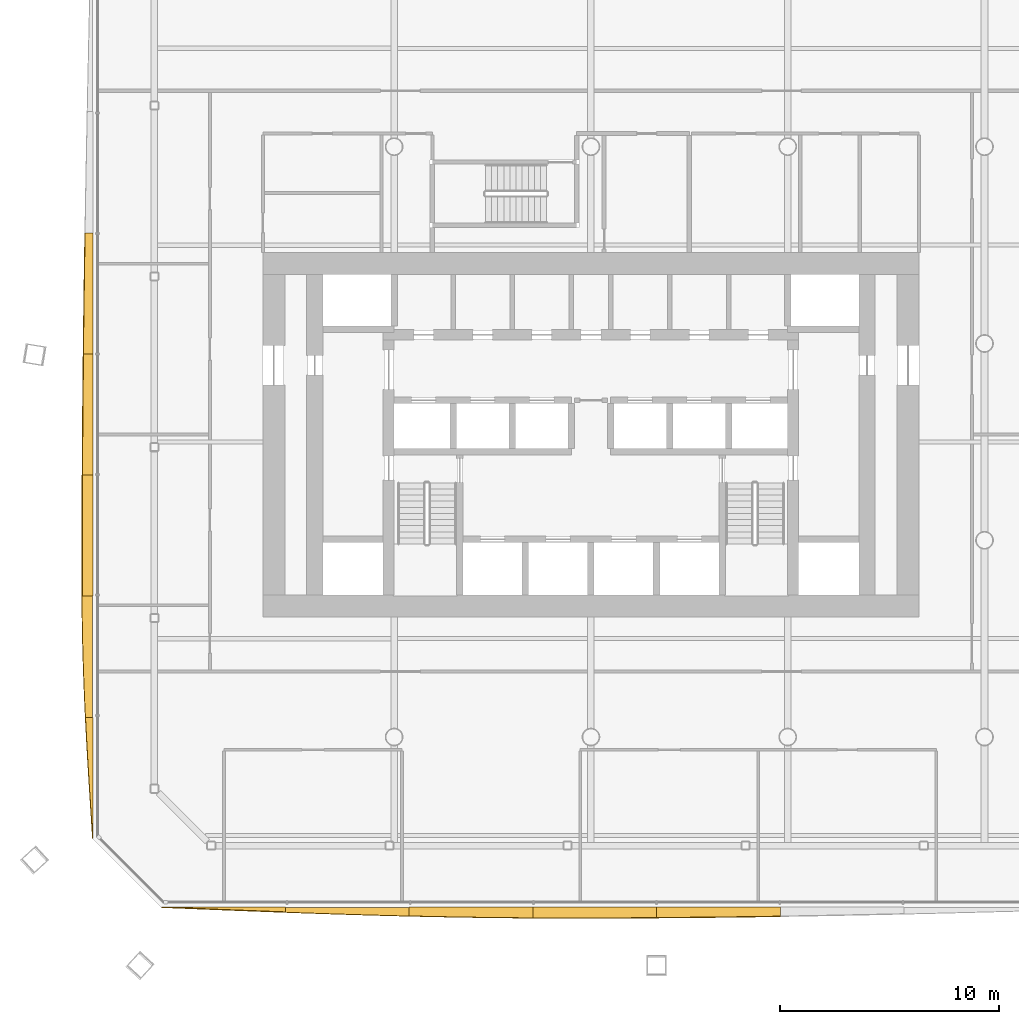
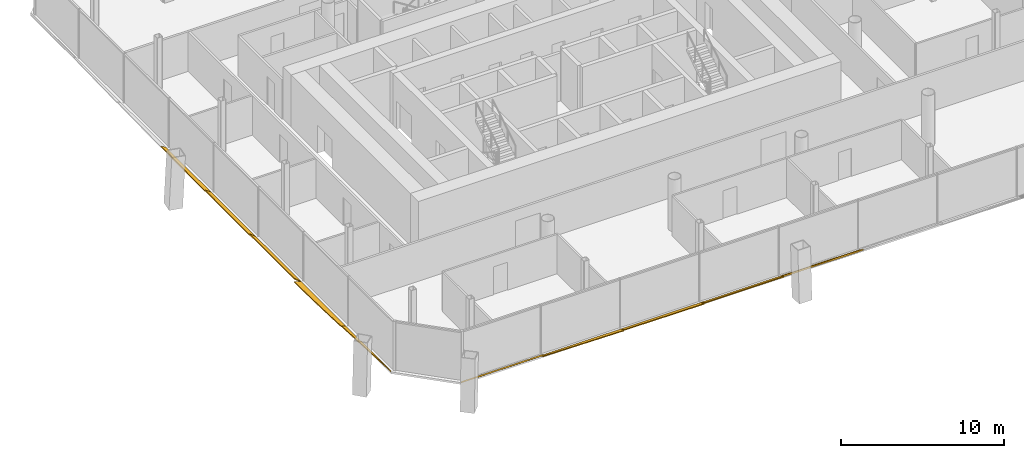
# One storey, part 16 of 20: 10 shading devices.
"""IFC4 building model written with IfcOpenShell, lengths in metres."""

from ifc_helpers import new_model, si_unit, direction, frame, origin, place, context, subcontext, project, spatial, polyline, outline, extrude, material, layer, layer_set, type_object, element, save


model = new_model("IFC4")

# Units and contexts
model_context = context("Model", 3, precision=1e-05, world=origin(), true_north=direction((0.0, 1.0)))
body_context = subcontext(model_context, "Body", "Model", "MODEL_VIEW")
ifc_project = project(units=[si_unit("LENGTHUNIT", "METRE"), si_unit("AREAUNIT", "SQUARE_METRE"), si_unit("VOLUMEUNIT", "CUBIC_METRE"), si_unit("PLANEANGLEUNIT", "RADIAN"), si_unit("MASSUNIT", "GRAM", prefix="KILO")], contexts=[model_context])

# Site, building, storey
site_placement = place(None, origin())
site = spatial("IfcSite", under=ifc_project, at=site_placement, CompositionType="ELEMENT")
building_placement = place(site_placement, origin())
building = spatial("IfcBuilding", under=site, at=building_placement, Name="Tskaro Facet Tower", CompositionType="ELEMENT")
storey_placement = place(building_placement, frame((0.0, 0.0, 66.0)))
storey = spatial("IfcBuildingStorey", under=building, at=storey_placement, Name="L15", CompositionType="ELEMENT", Elevation=66.0)

# Shading devices
ifc_material = material(Name="Bronze anodised aluminium 6063-T6", Category="aluminium")
ifc_layer = layer(ifc_material, 0.06005859375, Name="Bronze anodised aluminium 6063-T6")
ifc_layer_set = layer_set([ifc_layer], Name="Bronze anodised aluminium 6063-T6")
shading_device_type = type_object("IfcShadingDeviceType", Name="Bronze sun blade (FN1)", PredefinedType="USERDEFINED", material=ifc_layer_set)
shading_device_1_placement = place(storey_placement, frame((-19.635009765625, -25.7705078125, 0.0458984375), z_axis=(3.2625902e-05, 0.643382426657, 0.765544937939), x_axis=(0.999999999468, -2.0990932e-05, -2.4976594e-05)))
element("IfcShadingDevice", 1, at=shading_device_1_placement, inside=storey, type_object=shading_device_type, Name="Fin blade south 1", ObjectType="FIN", PredefinedType="USERDEFINED", context=body_context, shape_type="SweptSolid", body=[
    extrude(outline(polyline([(0.0, 0.0), (5.658691403238304, 1.9172392237754075e-20), (5.658691409263327, -0.2916482721003014), (4.9514160143450345, -0.25732618426548765), (4.244140621372865, -0.22231614361556348), (3.536621095819751, -0.1864610743626871), (2.82934570161509, -0.14988822746282848), (2.122070308383492, -0.11297140415541462), (1.4147949222227567, -0.07555352865260384), (0.7072753851876732, -0.037761851910366025), (0.0, 0.0)])), origin(), (0.0, 0.0, -1.0), 0.06005859375),
])
shading_device_2_placement = place(storey_placement, frame((-13.976318359375, -25.78857421875, 0.056396484375), z_axis=(-2.628135e-06, 0.342026914638, 0.939690156199), x_axis=(0.999999999997, 8.98893e-07, 2.469633e-06)))
element("IfcShadingDevice", 2, at=shading_device_2_placement, inside=storey, type_object=shading_device_type, Name="Fin blade south 2", ObjectType="FIN", PredefinedType="USERDEFINED", context=body_context, shape_type="SweptSolid", body=[
    extrude(outline(polyline([(0.0, 0.0), (5.6589355468554565, 5.991631068239571e-22), (5.658935546903206, -0.4232366271566472), (4.951416015780123, -0.4045475668472863), (4.244140624789963, -0.3842314992915564), (3.5368652342941473, -0.3626848463609124), (2.829345703064739, -0.33982410539064756), (2.122070312735216, -0.31596219558751015), (1.4147949216941624, -0.2907026950800452), (0.7075195313114774, -0.2647549449464558), (-2.4256916829126793e-11, -0.23772252331528707), (0.0, 0.0)])), origin(), (0.0, 0.0, -1.0), 0.06005859375),
])
shading_device_3_placement = place(storey_placement, frame((-8.3173828125, -25.78369140625, 0.054443359375), z_axis=(-1.782708e-06, 0.422574078242, 0.906328388828), x_axis=(0.999999999998, 7.53326e-07, 1.615718e-06)))
element("IfcShadingDevice", 3, at=shading_device_3_placement, inside=storey, type_object=shading_device_type, Name="Fin blade south 3", ObjectType="FIN", PredefinedType="USERDEFINED", context=body_context, shape_type="SweptSolid", body=[
    extrude(outline(polyline([(0.0, 0.0), (5.658691406241008, 0.0), (5.658691406279808, -0.5355241717585432), (4.951171875132492, -0.5296245220181465), (4.2438964841358295, -0.5219845728036423), (3.536621093821583, -0.5123681159555646), (2.829345703032991, -0.5010113596333793), (2.1218261719339795, -0.48812063883622825), (1.4145507811695388, -0.4732683469856658), (0.7072753907196788, -0.4568820906601376), (6.0183679917890276e-12, -0.4390799739393768), (0.0, 0.0)])), origin(), (0.0, 0.0, -1.0), 0.06005859375),
])
shading_device_4_placement = place(storey_placement, frame((-2.65869140625, -25.779052734375, 0.052001953125), z_axis=(7.546815e-06, 0.500006348629, 0.866021738338), x_axis=(0.999999999972, -3.773455e-06, -6.535706e-06)))
element("IfcShadingDevice", 4, at=shading_device_4_placement, inside=storey, type_object=shading_device_type, Name="Fin blade south 4", ObjectType="FIN", PredefinedType="USERDEFINED", context=body_context, shape_type="SweptSolid", body=[
    extrude(outline(polyline([(0.0, 0.0), (5.658691406088856, 0.0), (5.658691406412842, -0.5528017127912757), (4.951416015512984, -0.557616759919839), (4.243896484415634, -0.5615533700580766), (3.5366210934495252, -0.5644001121175211), (2.829345702910918, -0.5663684171866399), (2.122070311878558, -0.5672468541769656), (1.855957030636136, -0.5672468541769656), (1.4145507813230835, -0.5669133512260365), (0.7072753913263512, -0.5646115432059885), (-3.3226351978627495e-10, -0.5604635019792835), (0.0, 0.0)])), origin(), (0.0, 0.0, -1.0), 0.06005859375),
])
shading_device_5_placement = place(storey_placement, frame((3.0, -25.774658203125, 0.049072265625), z_axis=(-6.116303e-06, 0.573728048193, 0.8190458636), x_axis=(0.999999999981, 3.509095e-06, 5.009533e-06)))
element("IfcShadingDevice", 5, at=shading_device_5_placement, inside=storey, type_object=shading_device_type, Name="Fin blade south 5", ObjectType="FIN", PredefinedType="USERDEFINED", context=body_context, shape_type="SweptSolid", body=[
    extrude(outline(polyline([(0.0, 0.0), (5.658691406144157, 2.3965490297192594e-21), (5.658691407094718, -0.5074398489695453), (4.951416015478508, -0.5204403029356486), (4.244140624843088, -0.5323607667770285), (3.536621094073068, -0.5437412355560467), (2.8293457024627697, -0.553761573561805), (2.1220703121995803, -0.5630419541361549), (1.4147949216941489, -0.5711022742615133), (0.7072753906877992, -0.5782825666311948), (4.3052157267357103e-10, -0.5845828312451998), (0.0, 0.0)])), origin(), (0.0, 0.0, -1.0), 0.06005859375),
])
shading_device_6_placement = place(storey_placement, frame((-22.779052734375, 5.060546875, 0.052001953125), z_axis=(0.499966081568, 7.454811e-06, 0.866044985683), x_axis=(3.727153e-06, -0.999999999972, 6.456202e-06)))
element("IfcShadingDevice", 6, at=shading_device_6_placement, inside=storey, type_object=shading_device_type, Name="Fin blade west 4", ObjectType="FIN", PredefinedType="USERDEFINED", context=body_context, shape_type="SweptSolid", body=[
    extrude(outline(polyline([(0.0, 0.0), (5.539062499846086, 0.0), (5.539062499954753, -0.49756709885356515), (4.84667968755412, -0.4882705070375554), (4.154296873820944, -0.4783069176300963), (3.4619140628176166, -0.46770901793037145), (2.769531251148017, -0.45677761943492184), (2.0771484372359246, -0.4453906601121114), (1.384765624477459, -0.4332473284653991), (0.6923828126289431, -0.4208925600545982), (-5.52116451344035e-10, -0.40787079405234794), (0.0, 0.0)])), origin(), (0.0, 0.0, -1.0), 0.06005859375),
])
shading_device_7_placement = place(storey_placement, frame((-22.774658203125, -0.478515625, 0.049072265625), z_axis=(0.573739385939, -4.415348e-06, 0.81903792159), x_axis=(-2.533259e-06, -0.99999999999, -3.616337e-06)))
element("IfcShadingDevice", 7, at=shading_device_7_placement, inside=storey, type_object=shading_device_type, Name="Fin blade west 5", ObjectType="FIN", PredefinedType="USERDEFINED", context=body_context, shape_type="SweptSolid", body=[
    extrude(outline(polyline([(0.0, 0.0), (5.539062499946007, 0.0), (5.5390625004642144, -0.5835627315965183), (4.846679687168792, -0.5786226002702096), (4.154296875285112, -0.5728623288069308), (3.46191406216449, -0.5667021364834964), (2.769531249572714, -0.5598618771153635), (2.0771484375097846, -0.552341550702532), (1.3847656250928075, -0.5442812303372735), (0.6923828125862058, -0.5353408824972385), (3.4402750870295926e-10, -0.5260605011348545), (0.0, 0.0)])), origin(), (0.0, 0.0, -1.0), 0.06005859375),
])
shading_device_8_placement = place(storey_placement, frame((-22.7705078125, -6.017578125, 0.0458984375), z_axis=(0.642901213345, 3.696721e-06, 0.765949103966), x_axis=(2.376626e-06, -0.999999999993, 2.8315e-06)))
element("IfcShadingDevice", 8, at=shading_device_8_placement, inside=storey, type_object=shading_device_type, Name="Fin blade west 6", ObjectType="FIN", PredefinedType="USERDEFINED", context=body_context, shape_type="SweptSolid", body=[
    extrude(outline(polyline([(0.0, 0.0), (5.539062499962152, -2.3458842172003865e-21), (5.539062499808104, -0.6384064928940706), (4.846679687621029, -0.6413451529630485), (4.830078125121143, -0.6413451529630485), (4.1542968750147065, -0.6410011953660464), (3.4619140621862785, -0.6399693225750404), (2.7695312497159748, -0.6380625352970686), (2.077148437714849, -0.6356247911291331), (1.384765625491617, -0.6324991317671934), (0.6923828123549942, -0.6285285989072095), (-3.124504694460685e-10, -0.6240271091572618), (0.0, 0.0)])), origin(), (0.0, 0.0, -1.0), 0.06005859375),
])
shading_device_9_placement = place(storey_placement, frame((-22.78857421875, -11.556640625, 0.056396484375), z_axis=(0.342059595967, 5.371851e-06, 0.939678260246), x_axis=(1.837493e-06, -0.999999999986, 5.047812e-06)))
element("IfcShadingDevice", 9, at=shading_device_9_placement, inside=storey, type_object=shading_device_type, Name="Fin blade west 7", ObjectType="FIN", PredefinedType="USERDEFINED", context=body_context, shape_type="SweptSolid", body=[
    extrude(outline(polyline([(0.0, 0.0), (5.539306640545077, 1.1729938073884778e-21), (5.539306640692868, -0.3517968127941766), (4.846923828589417, -0.38585851023084444), (4.154541015707369, -0.41674969079667035), (3.462158202943935, -0.4440115272161372), (2.7697753902991167, -0.467644019489245), (2.07739257743775, -0.48710482969692875), (1.385009765592212, -0.5024774684827362), (0.69238281290513, -0.5136784252031198), (-1.572722240247827e-10, -0.5203947755767729), (0.0, 0.0)])), origin(), (0.0, 0.0, -1.0), 0.06005859375),
])
shading_device_10_placement = place(storey_placement, frame((-22.78369140625, -17.095947265625, 0.054443359375), z_axis=(0.422303580312, -8.678092e-06, 0.906454458856), x_axis=(-3.664789e-06, -0.999999999962, -7.866295e-06)))
element("IfcShadingDevice", 10, at=shading_device_10_placement, inside=storey, type_object=shading_device_type, Name="Fin blade west 8", ObjectType="FIN", PredefinedType="USERDEFINED", context=body_context, shape_type="SweptSolid", body=[
    extrude(outline(polyline([(0.0, 0.0), (5.539062499791428, 2.3458842172003865e-21), (4.84667968767996, -0.04980766181711871), (4.1542968746737685, -0.09939402127610986), (3.461914062824369, -0.14811027074063648), (2.769531250342314, -0.19551380549444342), (2.0771484382533627, -0.2412802217193622), (1.3847656247680658, -0.2849669146991377), (0.6923828109121823, -0.3262494806156015), (-3.680472908775252e-10, -0.36470041419054405), (0.0, 0.0)])), origin(), (0.0, 0.0, -1.0), 0.06005859375),
])

save(model, "model.ifc")
